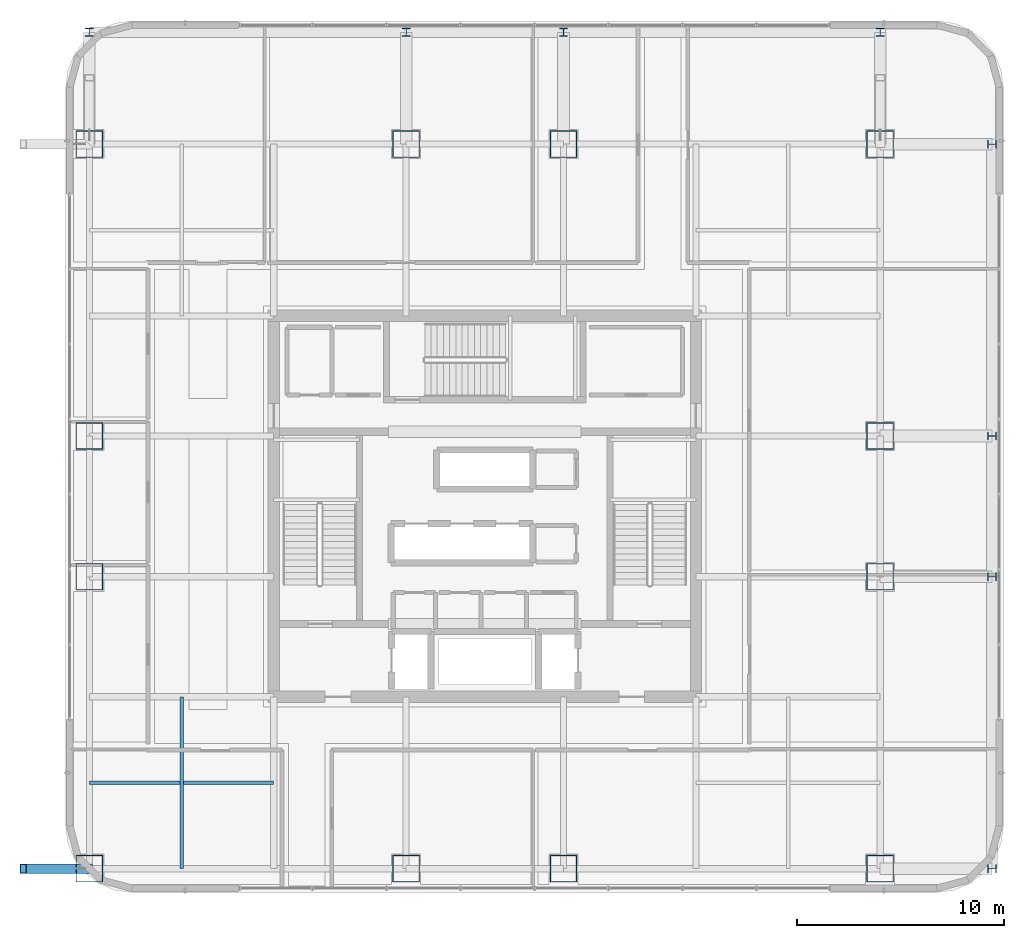
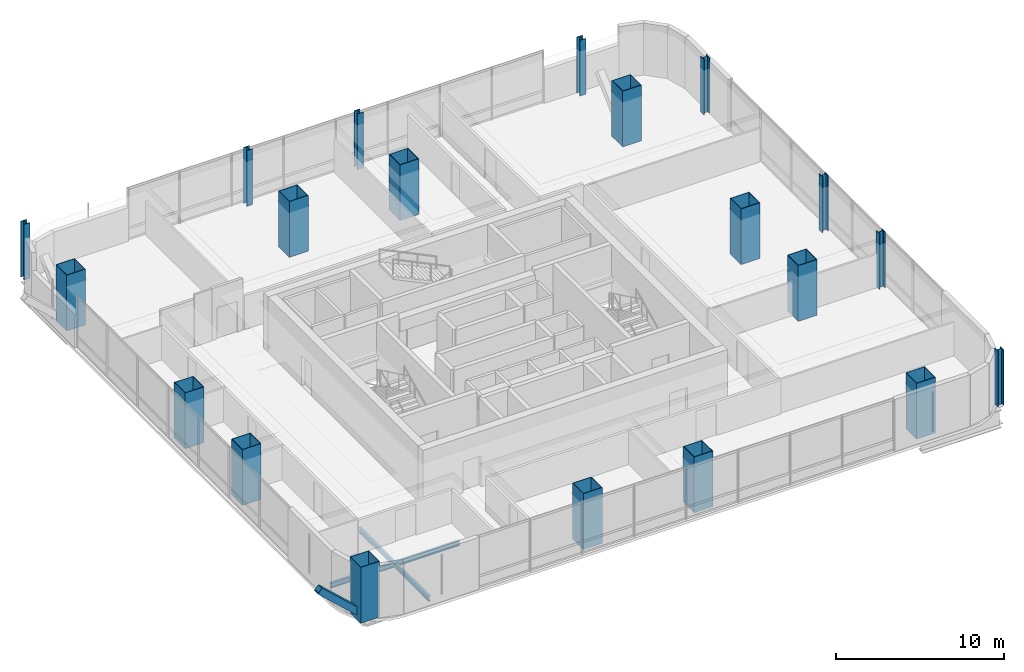
# One storey, part 1 of 51: 20 columns, 2 beams, 1 member.
"""IFC4 building model written with IfcOpenShell, lengths in metres."""

from ifc_helpers import new_model, si_unit, direction, frame, origin, origin_2d, place, context, subcontext, project, spatial, hollow_rectangle, i_section, extrude, material, material_profile, profile_set, type_object, element, save


model = new_model("IFC4")

# Units and contexts
model_context = context("Model", 3, precision=1e-05, world=origin(), true_north=direction((0.0, 1.0)))
body_context = subcontext(model_context, "Body", "Model", "MODEL_VIEW")
ifc_project = project(units=[si_unit("LENGTHUNIT", "METRE"), si_unit("AREAUNIT", "SQUARE_METRE"), si_unit("VOLUMEUNIT", "CUBIC_METRE"), si_unit("PLANEANGLEUNIT", "RADIAN"), si_unit("MASSUNIT", "GRAM", prefix="KILO")], contexts=[model_context])

# Site, building, storey
site_placement = place(None, origin())
site = spatial("IfcSite", under=ifc_project, at=site_placement, CompositionType="ELEMENT")
building_placement = place(site_placement, origin())
building = spatial("IfcBuilding", under=site, at=building_placement, Name="Punatoya Terracotta Tower", CompositionType="ELEMENT")
storey_placement = place(building_placement, frame((0.0, 0.0, 279.75)))
storey = spatial("IfcBuildingStorey", under=building, at=storey_placement, Name="L66", CompositionType="ELEMENT", Elevation=279.75)

# Columns
ifc_material_1 = material(Name="Steel S460", Category="steel")
ifc_material_profile_1 = material_profile(ifc_material_1, i_section(OverallWidth=0.406005859375, OverallDepth=0.416015625, WebThickness=0.029052734375, FlangeThickness=0.048095703125, FilletRadius=0.01806640625, at=origin_2d()))
ifc_profile_set_1 = profile_set([ifc_material_profile_1], Name="Steel S460")
column_type_1 = type_object("IfcColumnType", Name="COL-EX-M3", PredefinedType="COLUMN", material=ifc_profile_set_1)
for number, where, z_axis, x_axis, name in (
    (1, (-19.10009765625, 22.89990234375, 0.0), (0.0, 0.0, 1.0), (1.0, 0.0, 0.0), "L66 Exoskeleton Perimeter Column N1"),
    (2, (-3.800048828125, 22.89990234375, 0.0), (0.0, 0.0, 1.0), (1.0, 0.0, 0.0), "L66 Exoskeleton Perimeter Column N2"),
    (3, (3.800048828125, 22.89990234375, 0.0), (0.0, 0.0, 1.0), (1.0, 0.0, 0.0), "L66 Exoskeleton Perimeter Column N3"),
    (4, (19.10009765625, 22.89990234375, 0.0), (0.0, 0.0, 1.0), (1.0, 0.0, 0.0), "L66 Exoskeleton Perimeter Column N4"),
    (5, (24.5, -17.5, 0.0), (0.0, 0.0, 1.0), (0.0, 1.0, 0.0), "L66 Exoskeleton Perimeter Column E1"),
    (6, (24.5, -3.39990234375, 0.0), (0.0, 0.0, 1.0), (0.0, 1.0, 0.0), "L66 Exoskeleton Perimeter Column E2"),
    (7, (24.5, 3.39990234375, 0.0), (0.0, 0.0, 1.0), (0.0, 1.0, 0.0), "L66 Exoskeleton Perimeter Column E3"),
    (8, (24.5, 17.5, 0.0), (0.0, 0.0, 1.0), (0.0, 1.0, 0.0), "L66 Exoskeleton Perimeter Column E4"),
):
    element("IfcColumn", number, at=place(storey_placement, frame(where, z_axis=z_axis, x_axis=x_axis)), inside=storey, type_object=column_type_1, Name=name, PredefinedType="COLUMN", context=body_context, shape_type="SweptSolid", body=[
        extrude(i_section(OverallWidth=0.406005859375, OverallDepth=0.416015625, WebThickness=0.029052734375, FlangeThickness=0.048095703125, FilletRadius=0.01806640625, at=origin_2d()), origin(), (0.0, 0.0, 1.0), 4.048095703125),
    ])
ifc_material_profile_2 = material_profile(ifc_material_1, hollow_rectangle(XDim=1.300048828125, YDim=1.300048828125, WallThickness=0.0380859375, at=origin_2d()))
ifc_profile_set_2 = profile_set([ifc_material_profile_2], Name="Steel S460")
column_type_2 = type_object("IfcColumnType", Name="COL-MC-Z3", PredefinedType="COLUMN", material=ifc_profile_set_2)
for number, where, z_axis, x_axis, name in (
    (9, (-19.10009765625, -17.5, 0.0), (0.0, 0.0, 1.0), (1.0, 0.0, 0.0), "L66 Composite Mega-Column MC-01 (3-B)"),
    (10, (-3.800048828125, -17.5, 0.0), (0.0, 0.0, 1.0), (1.0, 0.0, 0.0), "L66 Composite Mega-Column MC-02 (5-B)"),
    (11, (3.800048828125, -17.5, 0.0), (0.0, 0.0, 1.0), (1.0, 0.0, 0.0), "L66 Composite Mega-Column MC-03 (7-B)"),
    (12, (19.10009765625, -17.5, 0.0), (0.0, 0.0, 1.0), (1.0, 0.0, 0.0), "L66 Composite Mega-Column MC-04 (9-B)"),
    (13, (19.10009765625, -3.39990234375, 0.0), (0.0, 0.0, 1.0), (1.0, 0.0, 0.0), "L66 Composite Mega-Column MC-05 (9-D)"),
    (14, (19.10009765625, 3.39990234375, 0.0), (0.0, 0.0, 1.0), (1.0, 0.0, 0.0), "L66 Composite Mega-Column MC-06 (9-E)"),
    (15, (19.10009765625, 17.5, 0.0), (0.0, 0.0, 1.0), (1.0, 0.0, 0.0), "L66 Composite Mega-Column MC-07 (9-G)"),
    (16, (3.800048828125, 17.5, 0.0), (0.0, 0.0, 1.0), (1.0, 0.0, 0.0), "L66 Composite Mega-Column MC-08 (7-G)"),
    (17, (-3.800048828125, 17.5, 0.0), (0.0, 0.0, 1.0), (1.0, 0.0, 0.0), "L66 Composite Mega-Column MC-09 (5-G)"),
    (18, (-19.10009765625, 17.5, 0.0), (0.0, 0.0, 1.0), (1.0, 0.0, 0.0), "L66 Composite Mega-Column MC-10 (3-G)"),
    (19, (-19.10009765625, 3.39990234375, 0.0), (0.0, 0.0, 1.0), (1.0, 0.0, 0.0), "L66 Composite Mega-Column MC-11 (3-E)"),
    (20, (-19.10009765625, -3.39990234375, 0.0), (0.0, 0.0, 1.0), (1.0, 0.0, 0.0), "L66 Composite Mega-Column MC-12 (3-D)"),
):
    element("IfcColumn", number, at=place(storey_placement, frame(where, z_axis=z_axis, x_axis=x_axis)), inside=storey, type_object=column_type_2, Name=name, PredefinedType="COLUMN", context=body_context, shape_type="SweptSolid", body=[
        extrude(hollow_rectangle(XDim=1.300048828125, YDim=1.300048828125, WallThickness=0.0380859375, at=origin_2d()), origin(), (0.0, 0.0, 1.0), 4.050048828125),
    ])

# Beams
ifc_material_2 = material(Name="Steel S355", Category="steel")
ifc_material_profile_3 = material_profile(ifc_material_2, i_section(OverallWidth=0.169921875, OverallDepth=0.360107421875, WebThickness=0.008056640625, FlangeThickness=0.0126953125, FilletRadius=0.01806640625, at=origin_2d()))
ifc_profile_set_3 = profile_set([ifc_material_profile_3], Name="Steel S355")
beam_type = type_object("IfcBeamType", Name="BM-SEC-360", PredefinedType="JOIST", material=ifc_profile_set_3)
beam_1_placement = place(storey_placement, frame((-19.10009765625, -13.35009765625, -0.3798828125), z_axis=(1.0, 0.0, 0.0), x_axis=(0.0, 1.0, 0.0)))
element("IfcBeam", 21, at=beam_1_placement, inside=storey, type_object=beam_type, Name="BM-L66-SJS-1", PredefinedType="JOIST", context=body_context, shape_type="SweptSolid", body=[
    extrude(i_section(OverallWidth=0.169921875, OverallDepth=0.360107421875, WebThickness=0.008056640625, FlangeThickness=0.0126953125, FilletRadius=0.01806640625, at=origin_2d()), origin(), (0.0, 0.0, 1.0), 8.900146484375),
])
beam_2_placement = place(storey_placement, frame((-14.64990234375, -17.5, -0.3798828125), z_axis=(0.0, 1.0, 0.0), x_axis=(-1.0, 0.0, 0.0)))
element("IfcBeam", 22, at=beam_2_placement, inside=storey, type_object=beam_type, Name="BM-L66-SJW-1", PredefinedType="JOIST", context=body_context, shape_type="SweptSolid", body=[
    extrude(i_section(OverallWidth=0.169921875, OverallDepth=0.360107421875, WebThickness=0.008056640625, FlangeThickness=0.0126953125, FilletRadius=0.01806640625, at=origin_2d()), origin(), (0.0, 0.0, 1.0), 8.300048828125),
])

# Member
ifc_material_profile_4 = material_profile(ifc_material_1, hollow_rectangle(XDim=0.449951171875, YDim=0.449951171875, WallThickness=0.02490234375, at=origin_2d()))
ifc_profile_set_4 = profile_set([ifc_material_profile_4], Name="Steel S460")
member_type = type_object("IfcMemberType", Name="MEM-STR-450", PredefinedType="STRUT", material=ifc_profile_set_4)
member_placement = place(storey_placement, frame((-19.10009765625, -17.5, 0.02001953125), z_axis=(-0.735244168043, 0.0, 0.677802340922), x_axis=(0.0, -1.0, 0.0)))
element("IfcMember", 23, at=member_placement, inside=storey, type_object=member_type, Name="L67 Cantilever Raking Knee-Strut W1", PredefinedType="STRUT", context=body_context, shape_type="SweptSolid", body=[
    extrude(hollow_rectangle(XDim=0.449951171875, YDim=0.449951171875, WallThickness=0.02490234375, at=origin_2d()), origin(), (0.0, 0.0, 1.0), 4.352294921875),
])

save(model, "model.ifc")
